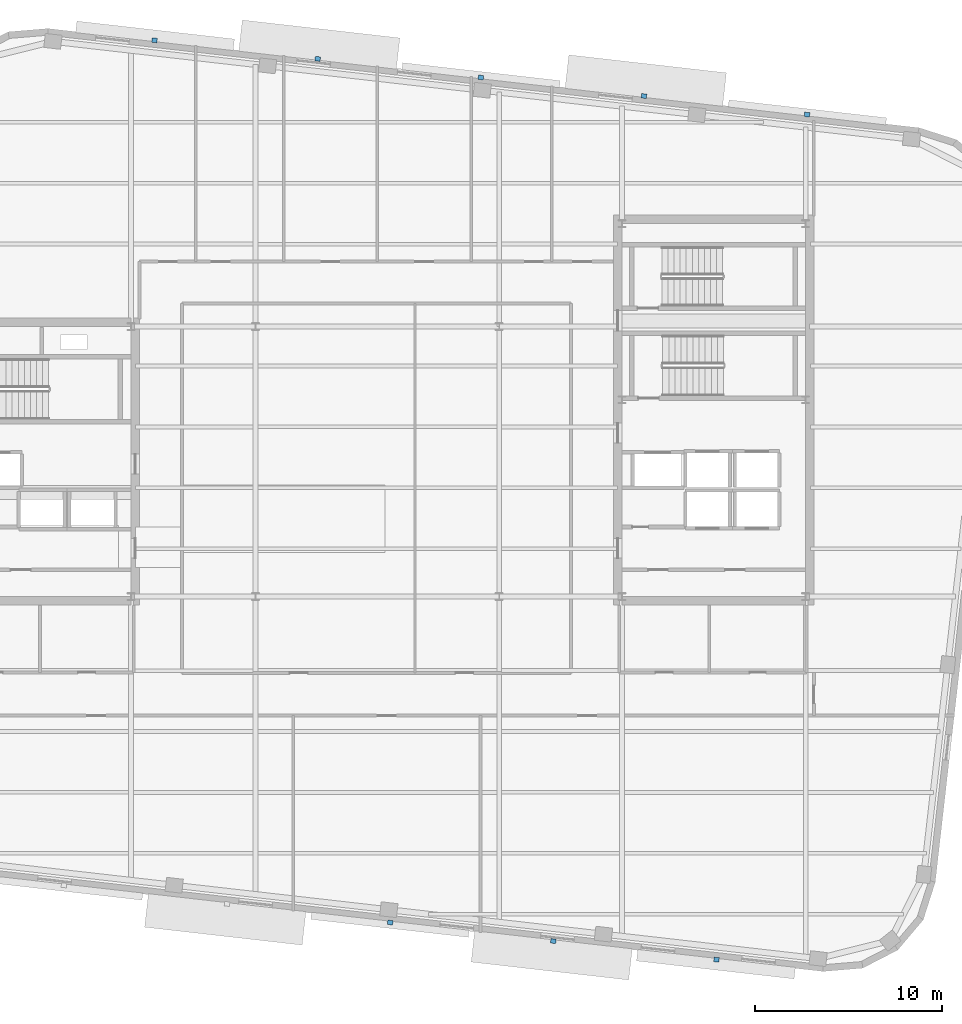
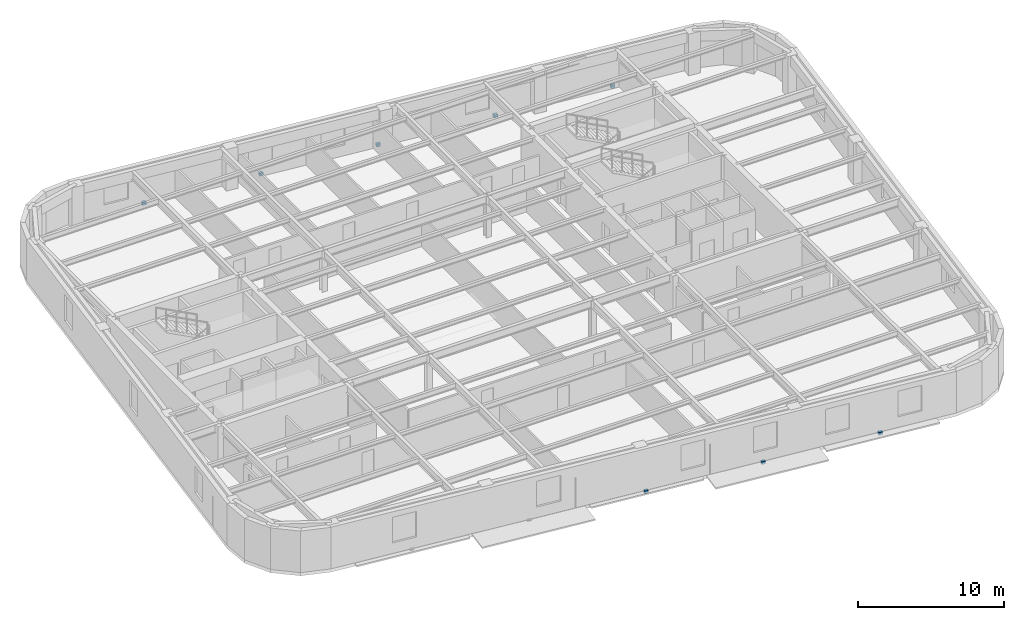
# One storey, part 9 of 13: 8 discrete accessories.
"""IFC4 building model written with IfcOpenShell, lengths in metres."""

from ifc_helpers import new_model, si_unit, direction, frame, origin, origin_2d, place, context, subcontext, project, spatial, rectangle, extrude, material, type_object, element, save


model = new_model("IFC4")

# Units and contexts
model_context = context("Model", 3, precision=1e-05, world=origin(), true_north=direction((0.0, 1.0)))
body_context = subcontext(model_context, "Body", "Model", "MODEL_VIEW")
ifc_project = project(units=[si_unit("LENGTHUNIT", "METRE"), si_unit("AREAUNIT", "SQUARE_METRE"), si_unit("VOLUMEUNIT", "CUBIC_METRE"), si_unit("PLANEANGLEUNIT", "RADIAN"), si_unit("MASSUNIT", "GRAM", prefix="KILO")], contexts=[model_context])

# Site, building, storey
site_placement = place(None, origin())
site = spatial("IfcSite", under=ifc_project, at=site_placement, CompositionType="ELEMENT")
building_placement = place(site_placement, origin())
building = spatial("IfcBuilding", under=site, at=building_placement, Name="Kolvaren Arena Tower", CompositionType="ELEMENT")
storey_placement = place(building_placement, frame((0.0, 0.0, 239.699951171875)))
storey = spatial("IfcBuildingStorey", under=building, at=storey_placement, Name="L58", CompositionType="ELEMENT", Elevation=239.699951171875)

# Discrete accessories
ifc_material = material(Name="Stainless steel facade support bracket", Category="steel")
discrete_accessory_type = type_object("IfcDiscreteAccessoryType", Name="ACC-BRKT-1", PredefinedType="BRACKET", material=ifc_material)
for number, where, z_axis, x_axis, name in (
    (1, (25.60986328125, 49.12451171875, -0.18017578125), (0.0, 0.0, 1.0), (0.993571658098, -0.113204947878, 0.0), "Sunshade Support Bracket (L58)"),
    (2, (34.313720703125, 48.1328125, -0.18017578125), (0.0, 0.0, 1.0), (0.993571658098, -0.113204947878, 0.0), "Sunshade Support Bracket (L58)"),
    (3, (43.017333984375, 47.141357421875, -0.18017578125), (0.0, 0.0, 1.0), (0.993571658098, -0.113204947878, 0.0), "Sunshade Support Bracket (L58)"),
    (4, (51.720947265625, 46.149658203125, -0.18017578125), (0.0, 0.0, 1.0), (0.993571658098, -0.113204947878, 0.0), "Sunshade Support Bracket (L58)"),
    (5, (60.424560546875, 45.157958984375, -0.18017578125), (0.0, 0.0, 1.0), (0.993571658098, -0.113204947878, 0.0), "Sunshade Support Bracket (L58)"),
    (6, (55.590087890625, 0.075439453125, -0.18017578125), (0.0, 0.0, 1.0), (-0.993571658098, 0.113204947878, 0.0), "Sunshade Support Bracket (L58)"),
    (7, (46.886474609375, 1.067138671875, -0.18017578125), (0.0, 0.0, 1.0), (-0.993571658098, 0.113204947878, 0.0), "Sunshade Support Bracket (L58)"),
    (8, (38.1826171875, 2.05859375, -0.18017578125), (0.0, 0.0, 1.0), (-0.993571658098, 0.113204947878, 0.0), "Sunshade Support Bracket (L58)"),
):
    element("IfcDiscreteAccessory", number, at=place(storey_placement, frame(where, z_axis=z_axis, x_axis=x_axis)), inside=storey, type_object=discrete_accessory_type, Name=name, PredefinedType="BRACKET", context=body_context, shape_type="SweptSolid", body=[
        extrude(rectangle(XDim=0.280029296875, YDim=0.239990234375, at=origin_2d()), origin(), (0.0, 0.0, 1.0), 0.239990234375),
    ])

save(model, "model.ifc")
